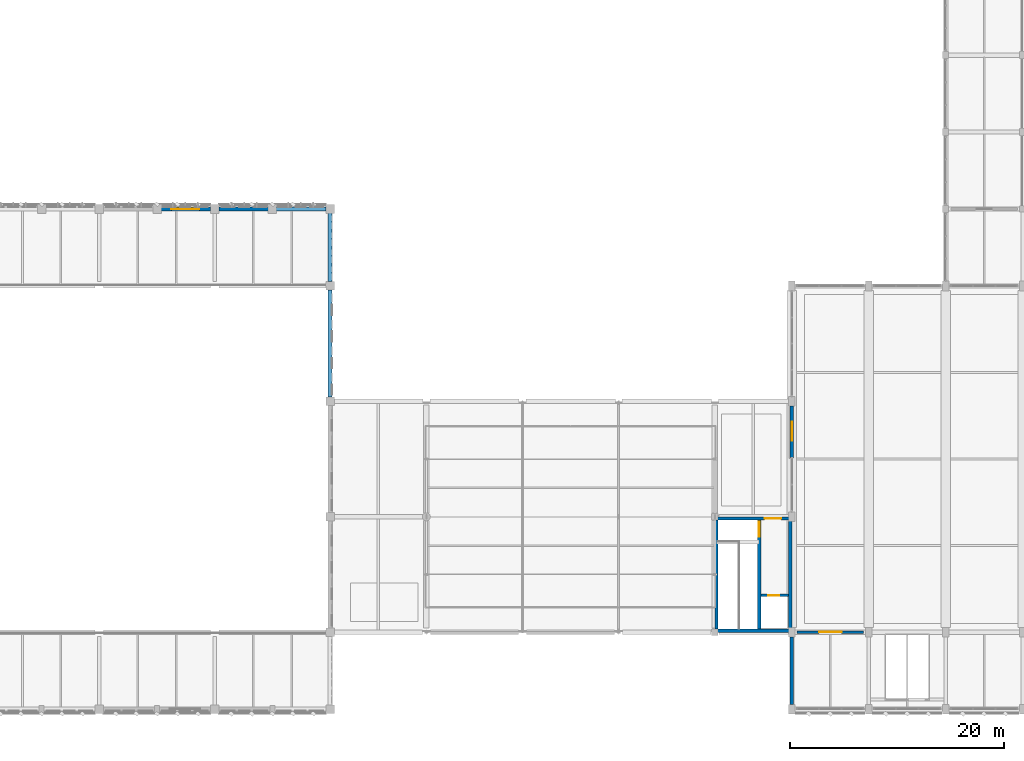
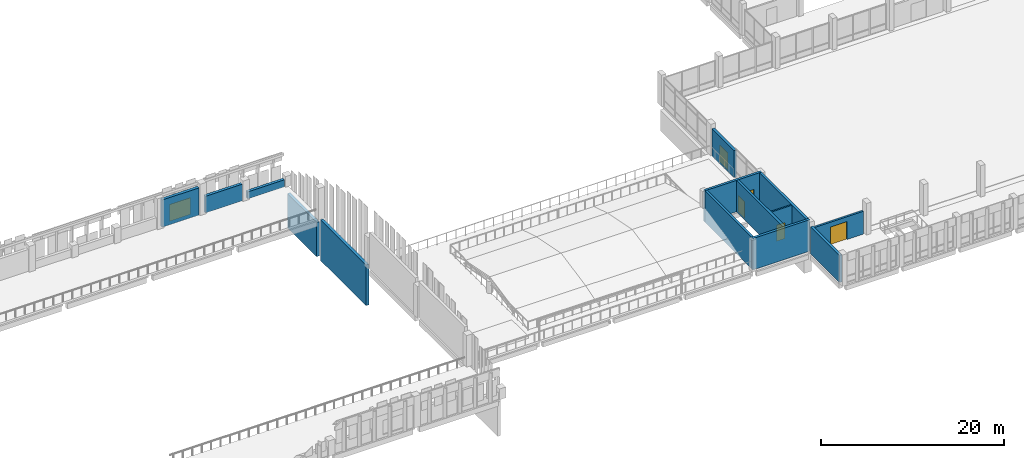
# One storey, part 132 of 158: 14 walls, 5 doors, 1 window, 6 openings.
"""IFC4 building model written with IfcOpenShell, lengths in metres."""

import ifcopenshell
import ifcopenshell.guid

model = None  # the IFC model being written
_history = None  # IfcOwnerHistory: only IFC2X3 demands one
_inside = {}  # id of a spatial element -> (the spatial element, [elements in it])
_under = {}  # id of a project, library or spatial element -> (it, [spatial elements below it])
_declared = {}  # id of a project -> (the project, [libraries it declares])
_typed = {}  # id of a type object -> (the type object, [elements of that type])
_made_of = {}  # id of a material, layer set ... -> (it, [elements and type objects made of it])


def new_model(schema):
    """Start an empty IFC model of exactly this schema.

    Asked for "IFC4X3", IfcOpenShell would pick the latest addendum, in which some entities
    have other attributes; the version numbers below select the first issue.
    IFC2X3 requires an IfcOwnerHistory on every rooted entity: one is made here for all.
    """
    global model, _history
    if schema == "IFC4X3":
        model = ifcopenshell.file(schema_version=(4, 3, 0, 0))
    else:
        model = ifcopenshell.file(schema=schema)
    _inside.clear()
    _under.clear()
    _declared.clear()
    _typed.clear()
    _made_of.clear()
    _history = None
    if model.schema == "IFC2X3":
        org = make("IfcOrganization", Name="unknown")
        user = make(
            "IfcPersonAndOrganization",
            ThePerson=make("IfcPerson", FamilyName="unknown"),
            TheOrganization=org,
        )
        app = make(
            "IfcApplication",
            ApplicationDeveloper=org,
            Version="unknown",
            ApplicationFullName="unknown",
            ApplicationIdentifier="unknown",
        )
        _history = make(
            "IfcOwnerHistory",
            OwningUser=user,
            OwningApplication=app,
            ChangeAction="ADDED",
            CreationDate=0,
        )
    return model


def make(cls, **values):
    """One entity of the class cls with the attributes given. An attribute that is None is left unset."""
    return model.create_entity(
        cls, **{name: value for name, value in values.items() if value is not None}
    )


def rooted(cls, **values):
    """An entity with a GlobalId (a new one), such as an element, a storey or a relation."""
    return make(cls, GlobalId=ifcopenshell.guid.new(), OwnerHistory=_history, **values)


def si_unit(unit_type, name, prefix=None):
    """IfcSIUnit, for example si_unit("LENGTHUNIT", "METRE", prefix="MILLI")."""
    return make("IfcSIUnit", UnitType=unit_type, Prefix=prefix, Name=name)


def assignment(units):
    """IfcUnitAssignment: the units of a project."""
    return None if units is None else make("IfcUnitAssignment", Units=units)


def point(xyz):
    """IfcCartesianPoint."""
    return None if xyz is None else make("IfcCartesianPoint", Coordinates=xyz)


def direction(xyz):
    """IfcDirection."""
    return None if xyz is None else make("IfcDirection", DirectionRatios=xyz)


def frame(location, z_axis=None, x_axis=None):
    """IfcAxis2Placement3D, a coordinate frame: its origin and axes. An axis left out is left unset."""
    return make(
        "IfcAxis2Placement3D",
        Location=point(location),
        Axis=direction(z_axis),
        RefDirection=direction(x_axis),
    )


def frame_2d(location, x_axis=None):
    """IfcAxis2Placement2D, a coordinate frame in the plane: its origin and x axis."""
    return make(
        "IfcAxis2Placement2D", Location=point(location), RefDirection=direction(x_axis)
    )


def origin():
    """The frame at (0, 0, 0) with its axes left unset."""
    return frame((0.0, 0.0, 0.0))


def place(relative_to, where):
    """IfcLocalPlacement: puts the frame where relative to a parent placement (None: the world)."""
    return make(
        "IfcLocalPlacement", PlacementRelTo=relative_to, RelativePlacement=where
    )


def context(
    kind, dimensions, precision=None, world=None, true_north=None, identifier=None
):
    """IfcGeometricRepresentationContext, for example the 3D "Model" context."""
    return make(
        "IfcGeometricRepresentationContext",
        ContextIdentifier=identifier,
        ContextType=kind,
        CoordinateSpaceDimension=dimensions,
        Precision=precision,
        WorldCoordinateSystem=world,
        TrueNorth=true_north,
    )


def subcontext(parent, identifier, kind, view, scale=None):
    """IfcGeometricRepresentationSubContext, for example "Body" below "Model"."""
    return make(
        "IfcGeometricRepresentationSubContext",
        ContextIdentifier=identifier,
        ContextType=kind,
        ParentContext=parent,
        TargetScale=scale,
        TargetView=view,
    )


def project(units=None, contexts=None):
    """IfcProject with its units and contexts."""
    return rooted(
        "IfcProject",
        Name="project",
        RepresentationContexts=contexts,
        UnitsInContext=assignment(units),
    )


def spatial(cls, under=None, at=None, **own):
    """A site, building, storey or space (cls), placed at a placement, below another one or the project."""
    s = rooted(cls, ObjectPlacement=at, **own)
    if under is not None:
        _under.setdefault(under.id(), (under, []))[1].append(s)
    return s


def profile(cls, at=None, kind="AREA", **sizes):
    """A parametric profile (cls). Its sizes go by their IFC names, for example OverallWidth=200.0."""
    return make(cls, ProfileType=kind, Position=at, **sizes)


def rectangle(**sizes):
    """IfcRectangleProfileDef."""
    return profile("IfcRectangleProfileDef", **sizes)


def extrude(swept, where, along, depth):
    """IfcExtrudedAreaSolid: the profile swept, set in the frame where, extruded along a direction by depth."""
    return make(
        "IfcExtrudedAreaSolid",
        SweptArea=swept,
        Position=where,
        ExtrudedDirection=direction(along),
        Depth=depth,
    )


def shape(context_of_items, identifier, shape_type, items):
    """IfcShapeRepresentation: the items that make up one representation, for example the "Body"."""
    return make(
        "IfcShapeRepresentation",
        ContextOfItems=context_of_items,
        RepresentationIdentifier=identifier,
        RepresentationType=shape_type,
        Items=items,
    )


def material(Name=None, Category=None):
    """IfcMaterial."""
    return make("IfcMaterial", Name=Name, Category=Category)


def layer(
    of_material, thickness, ventilated=None, Name=None, Category=None, Priority=None
):
    """IfcMaterialLayer: one layer of a wall or slab, of a material (None: an air gap)."""
    return make(
        "IfcMaterialLayer",
        Material=of_material,
        LayerThickness=thickness,
        IsVentilated=ventilated,
        Name=Name,
        Category=Category,
        Priority=Priority,
    )


def layer_set(layers, Name=None):
    """IfcMaterialLayerSet."""
    return make("IfcMaterialLayerSet", MaterialLayers=layers, LayerSetName=Name)


def made_of(thing, what):
    """Note that an element or type object is made of a material, layer set ...; save() writes the relation."""
    if what is not None:
        _made_of.setdefault(what.id(), (what, []))[1].append(thing)
    return thing


def type_object(cls, material=None, **own):
    """A type object (cls), such as IfcWallType, which elements share."""
    return made_of(rooted(cls, **own), material)


def element(
    cls,
    number,
    at=None,
    inside=None,
    cuts=None,
    type_object=None,
    material=None,
    context=None,
    identifier="Body",
    shape_type=None,
    held_by="IfcProductDefinitionShape",
    body=None,
    shapes=None,
    **own,
):
    """One element of the class cls, such as IfcWall. Its Tag is "e" and its number.

    at: its placement. inside: the storey or other place that contains it. cuts: it is an
    opening in that element (IfcRelVoidsElement). A single representation is given by context,
    identifier, shape_type and body (its items); several are given by shapes. held_by: the class
    of the entity that holds the representations. save() writes the other relations.
    """
    e = rooted(cls, Tag="e%d" % number, ObjectPlacement=at, **own)
    if body is not None:
        shapes = [shape(context, identifier, shape_type, body)]
    if shapes is not None:
        e.Representation = make(held_by, Representations=shapes)
    if inside is not None:
        _inside.setdefault(inside.id(), (inside, []))[1].append(e)
    if cuts is not None:
        rooted(
            "IfcRelVoidsElement", RelatingBuildingElement=cuts, RelatedOpeningElement=e
        )
    if type_object is not None:
        _typed.setdefault(type_object.id(), (type_object, []))[1].append(e)
    return made_of(e, material)


def fill(opening, filler):
    """IfcRelFillsElement: the door or window that sits in an opening."""
    return rooted(
        "IfcRelFillsElement",
        RelatingOpeningElement=opening,
        RelatedBuildingElement=filler,
    )


def aggregate(whole, parts):
    """IfcRelAggregates: a whole, such as a stair, and the parts it consists of."""
    return rooted("IfcRelAggregates", RelatingObject=whole, RelatedObjects=parts)


def save(model, path):
    """Write the relations noted so far, then the file.

    IfcRelAggregates (storeys below a building ...), IfcRelContainedInSpatialStructure (elements
    in a storey), IfcRelDefinesByType, IfcRelAssociatesMaterial and IfcRelDeclares: one each for
    every whole, place, type object, material and project.
    """
    for whole, parts in _under.values():
        aggregate(whole, parts)
    for where, things in _inside.values():
        rooted(
            "IfcRelContainedInSpatialStructure",
            RelatedElements=things,
            RelatingStructure=where,
        )
    for kind, things in _typed.values():
        rooted("IfcRelDefinesByType", RelatedObjects=things, RelatingType=kind)
    for what, things in _made_of.values():
        rooted("IfcRelAssociatesMaterial", RelatedObjects=things, RelatingMaterial=what)
    for by, libraries in _declared.values():
        rooted("IfcRelDeclares", RelatingContext=by, RelatedDefinitions=libraries)
    model.write(path)


model = new_model("IFC4")

# Units and contexts
model_context = context("Model", 3, precision=1e-05, world=origin(), true_north=direction((0.0, 1.0)))
body_context = subcontext(model_context, "Body", "Model", "MODEL_VIEW")
ifc_project = project(units=[si_unit("LENGTHUNIT", "METRE"), si_unit("AREAUNIT", "SQUARE_METRE"), si_unit("VOLUMEUNIT", "CUBIC_METRE"), si_unit("PLANEANGLEUNIT", "RADIAN"), si_unit("MASSUNIT", "GRAM", prefix="KILO")], contexts=[model_context])

# Site, building, storey
site_placement = place(None, origin())
site = spatial("IfcSite", under=ifc_project, at=site_placement, CompositionType="ELEMENT")
building_placement = place(site_placement, origin())
building = spatial("IfcBuilding", under=site, at=building_placement, Name="Lusvemor Sports Hall", CompositionType="ELEMENT")
storey_placement = place(building_placement, frame((0.0, 0.0, 10.800048828125)))
storey = spatial("IfcBuildingStorey", under=building, at=storey_placement, Name="L02", CompositionType="ELEMENT", Elevation=10.800048828125)

# Wall, opening, door
ifc_material_1 = material(Name="Warm terracotta Art Nouveau ceramic cladding on Concrete C40/50 backing", Category="masonry")
ifc_layer_1 = layer(ifc_material_1, 0.340087890625)
ifc_layer_set_1 = layer_set([ifc_layer_1], Name="Warm terracotta Art Nouveau ceramic cladding on Concrete C40/50 backing")
wall_type_1 = type_object("IfcWallType", Name="EW_TERR_CAV_340", PredefinedType="STANDARD", material=ifc_layer_set_1)
wall_1_placement = place(storey_placement, frame((118.800048828125, 23.51611328125, -0.050048828125), z_axis=(0.0, 0.0, 1.0), x_axis=(0.0, 1.0, 0.0)))
wall_1 = element("IfcWall", 1, at=wall_1_placement, inside=storey, type_object=wall_type_1, Name="Exterior Wall EW-V2W-TERR-L02", PredefinedType="STANDARD", context=body_context, shape_type="SweptSolid", body=[
    extrude(rectangle(XDim=4.837890625, YDim=0.340087890625, at=frame_2d((2.4189453125, 0.0))), origin(), (0.0, 0.0, 1.0), 3.625),
])
opening_1_placement = place(wall_1_placement, frame((1.593994140625, 0.0, 0.0)))
opening_1 = element("IfcOpeningElement", 2, at=opening_1_placement, cuts=wall_1, Name="Opening ED07", PredefinedType="OPENING", context=body_context, shape_type="SweptSolid", body=[
    extrude(rectangle(XDim=1.780029296875, YDim=2.320068359375, at=frame_2d((0.89013671875, 1.16015625))), frame((0.0, 0.169921875, 0.0), z_axis=(0.0, -1.0, 0.0), x_axis=(1.0, 0.0, 0.0)), (0.0, 0.0, 1.0), 0.340087890625),
])
ifc_material_2 = material(Name="Thermally broken bronze-anodized aluminium", Category="aluminium")
door_type_1 = type_object("IfcDoorType", Name="EDR_TERR_178x232", OperationType="NOTDEFINED", PredefinedType="DOOR", material=ifc_material_2)
door_1_placement = place(opening_1_placement, origin())
door_1 = element("IfcDoor", 3, at=door_1_placement, inside=storey, type_object=door_type_1, Name="DR-025", OperationType="SINGLE_SWING_RIGHT", OverallHeight=2.320068359375, OverallWidth=1.780029296875, PredefinedType="DOOR", context=body_context, shape_type="SweptSolid", body=[
    extrude(rectangle(XDim=1.780029296875, YDim=2.320068359375, at=frame_2d((0.89013671875, 1.16015625))), frame((0.0, 0.02490234375, 0.0), z_axis=(0.0, -1.0, 0.0), x_axis=(1.0, 0.0, 0.0)), (0.0, 0.0, 1.0), 0.050048828125),
])
fill(opening_1, door_1)

# Wall
wall_2_placement = place(storey_placement, frame((118.800048828125, 0.43994140625, -0.050048828125), z_axis=(0.0, 0.0, 1.0), x_axis=(0.0, 1.0, 0.0)))
element("IfcWall", 4, at=wall_2_placement, inside=storey, type_object=wall_type_1, Name="Exterior Wall EW-V2W-S0-L02", PredefinedType="STANDARD", context=body_context, shape_type="SweptSolid", body=[
    extrude(rectangle(XDim=6.320068359375, YDim=0.340087890625, at=frame_2d((3.16015625, 0.0))), origin(), (0.0, 0.0, 1.0), 3.625),
])

# Wall, opening, window
ifc_material_3 = material(Name="Emerald polychrome glazed ceramic cladding on Concrete C40/50 backing", Category="concrete")
ifc_layer_2 = layer(ifc_material_3, 0.364990234375)
ifc_layer_set_2 = layer_set([ifc_layer_2], Name="Emerald polychrome glazed ceramic cladding on Concrete C40/50 backing")
wall_type_2 = type_object("IfcWallType", Name="EW_WAVE_CER_365", PredefinedType="STANDARD", material=ifc_layer_set_2)
wall_3_placement = place(storey_placement, frame((59.72998046875, 46.800048828125, -0.050048828125), z_axis=(0.0, 0.0, 1.0), x_axis=(1.0, 0.0, 0.0)))
wall_3 = element("IfcWall", 5, at=wall_3_placement, inside=storey, type_object=wall_type_2, Name="Exterior Wall EW-WAVE-N-5-2", PredefinedType="STANDARD", context=body_context, shape_type="SweptSolid", body=[
    extrude(rectangle(XDim=4.674072265625, YDim=0.364990234375, at=frame_2d((2.3369140625, 0.0))), origin(), (0.0, 0.0, 1.0), 3.64697265625),
])
opening_2_placement = place(wall_3_placement, frame((1.010009765625, 0.0, 0.35009765625)))
opening_2 = element("IfcOpeningElement", 6, at=opening_2_placement, cuts=wall_3, Name="Opening WN18", PredefinedType="OPENING", context=body_context, shape_type="SweptSolid", body=[
    extrude(rectangle(XDim=2.6201171875, YDim=2.239990234375, at=frame_2d((1.31005859375, 1.1201171875))), frame((0.0, 0.1826171875, 0.0), z_axis=(0.0, -1.0, 0.0), x_axis=(1.0, 0.0, 0.0)), (0.0, 0.0, 1.0), 0.364990234375),
])
ifc_material_4 = material(Name="Solar-control laminated double glazing", Category="glass")
window_type = type_object("IfcWindowType", Name="WIN_18", PartitioningType="SINGLE_PANEL", PredefinedType="WINDOW", material=ifc_material_4)
window_placement = place(opening_2_placement, origin())
window = element("IfcWindow", 7, at=window_placement, inside=storey, type_object=window_type, Name="Courtyard Wave Clerestory Window N-5.2", OverallHeight=2.239990234375, OverallWidth=2.6201171875, PartitioningType="SINGLE_PANEL", PredefinedType="WINDOW", context=body_context, shape_type="SweptSolid", body=[
    extrude(rectangle(XDim=2.6201171875, YDim=2.239990234375, at=frame_2d((1.31005859375, 1.1201171875))), frame((0.0, 0.030029296875, 0.0), z_axis=(0.0, -1.0, 0.0), x_axis=(1.0, 0.0, 0.0)), (0.0, 0.0, 1.0), 0.06005859375),
])
fill(opening_2, window)

# Walls
wall_4_placement = place(storey_placement, frame((65.196044921875, 46.800048828125, -0.050048828125), z_axis=(0.0, 0.0, 1.0), x_axis=(1.0, 0.0, 0.0)))
element("IfcWall", 8, at=wall_4_placement, inside=storey, type_object=wall_type_2, Name="Exterior Wall EW-WAVE-N-6-1", PredefinedType="STANDARD", context=body_context, shape_type="SweptSolid", body=[
    extrude(rectangle(XDim=4.674072265625, YDim=0.364990234375, at=frame_2d((2.3369140625, 0.0))), origin(), (0.0, 0.0, 1.0), 2.22021484375),
])
wall_5_placement = place(storey_placement, frame((70.530029296875, 46.800048828125, -0.050048828125), z_axis=(0.0, 0.0, 1.0), x_axis=(1.0, 0.0, 0.0)))
element("IfcWall", 9, at=wall_5_placement, inside=storey, type_object=wall_type_2, Name="Exterior Wall EW-WAVE-N-6-2", PredefinedType="STANDARD", context=body_context, shape_type="SweptSolid", body=[
    extrude(rectangle(XDim=4.674072265625, YDim=0.364990234375, at=frame_2d((2.3369140625, 0.0))), origin(), (0.0, 0.0, 1.0), 0.94189453125),
])
wall_6_placement = place(storey_placement, frame((75.60009765625, 39.2041015625, -5.449951171875), z_axis=(0.0, 0.0, 1.0), x_axis=(0.0, -1.0, 0.0)))
element("IfcWall", 10, at=wall_6_placement, inside=storey, type_object=wall_type_2, Name="Exterior Wall EW-V1E-TYMP-4", PredefinedType="STANDARD", context=body_context, shape_type="SweptSolid", body=[
    extrude(rectangle(XDim=10.008056640625, YDim=0.364990234375, at=frame_2d((5.00390625, 0.0))), origin(), (0.0, 0.0, 1.0), 5.434814453125),
])
wall_7_placement = place(storey_placement, frame((75.60009765625, 46.404052734375, -5.449951171875), z_axis=(0.0, 0.0, 1.0), x_axis=(0.0, -1.0, 0.0)))
element("IfcWall", 11, at=wall_7_placement, inside=storey, type_object=wall_type_2, Name="Exterior Wall EW-V1E-TYMP-5", PredefinedType="STANDARD", context=body_context, shape_type="SweptSolid", body=[
    extrude(rectangle(XDim=6.407958984375, YDim=0.364990234375, at=frame_2d((3.2041015625, 0.0))), origin(), (0.0, 0.0, 1.0), 4.56494140625),
])

# Wall, opening, door
ifc_material_5 = material(Name="Plastered ceramic masonry blockwork", Category="masonry")
ifc_layer_3 = layer(ifc_material_5, 0.25)
ifc_layer_set_3 = layer_set([ifc_layer_3], Name="Plastered ceramic masonry blockwork")
wall_type_3 = type_object("IfcWallType", Name="IW_COMP_248", PredefinedType="STANDARD", material=ifc_layer_set_3)
wall_8_placement = place(storey_placement, frame((119.300048828125, 7.199951171875, 0.0), z_axis=(0.0, 0.0, 1.0), x_axis=(1.0, 0.0, 0.0)))
wall_8 = element("IfcWall", 12, at=wall_8_placement, inside=storey, type_object=wall_type_3, Name="Partition IW-L02-C3S-1", PredefinedType="STANDARD", context=body_context, shape_type="SweptSolid", body=[
    extrude(rectangle(XDim=6.199951171875, YDim=0.25, at=frame_2d((3.10009765625, 0.0))), origin(), (0.0, 0.0, 1.0), 3.0400390625),
])
opening_3_placement = place(wall_8_placement, frame((2.050048828125, 0.0, 0.0)))
opening_3 = element("IfcOpeningElement", 13, at=opening_3_placement, cuts=wall_8, Name="Opening ID01", PredefinedType="OPENING", context=body_context, shape_type="SweptSolid", body=[
    extrude(rectangle(XDim=2.10009765625, YDim=2.39990234375, at=frame_2d((1.050048828125, 1.199951171875))), frame((0.0, 0.125, 0.0), z_axis=(0.0, -1.0, 0.0), x_axis=(1.0, 0.0, 0.0)), (0.0, 0.0, 1.0), 0.25),
])
ifc_material_6 = material(Name="Acoustic solid-core hardwood door leaf in steel frame", Category="steel")
door_type_2 = type_object("IfcDoorType", Name="IDR_COURT_DBL_210", OperationType="NOTDEFINED", PredefinedType="DOOR", material=ifc_material_6)
door_2_placement = place(opening_3_placement, origin())
door_2 = element("IfcDoor", 14, at=door_2_placement, inside=storey, type_object=door_type_2, Name="DR-186", OperationType="SINGLE_SWING_RIGHT", OverallHeight=2.39990234375, OverallWidth=2.10009765625, PredefinedType="DOOR", context=body_context, shape_type="SweptSolid", body=[
    extrude(rectangle(XDim=2.10009765625, YDim=2.39990234375, at=frame_2d((1.050048828125, 1.199951171875))), frame((0.0, 0.02490234375, 0.0), z_axis=(0.0, -1.0, 0.0), x_axis=(1.0, 0.0, 0.0)), (0.0, 0.0, 1.0), 0.050048828125),
])
fill(opening_3, door_2)

ifc_material_7 = material(Name="Concrete C40/50", Category="concrete")
ifc_layer_4 = layer(ifc_material_7, 0.2099609375)
ifc_layer_set_4 = layer_set([ifc_layer_4], Name="Concrete C40/50")
wall_type_4 = type_object("IfcWallType", Name="IW_SHFT_212", PredefinedType="STANDARD", material=ifc_layer_set_4)
wall_9_placement = place(storey_placement, frame((115.89990234375, 10.64990234375, 0.0), z_axis=(0.0, 0.0, 1.0), x_axis=(1.0, 0.0, 0.0)))
wall_9 = element("IfcWall", 15, at=wall_9_placement, inside=storey, type_object=wall_type_4, Name="Lift LP-04 Shaft Front Wall (L02)", PredefinedType="STANDARD", context=body_context, shape_type="SweptSolid", body=[
    extrude(rectangle(XDim=2.60009765625, YDim=0.2099609375, at=frame_2d((1.300048828125, 0.0))), origin(), (0.0, 0.0, 1.0), 4.199951171875),
])
opening_4_placement = place(wall_9_placement, frame((0.679931640625, 0.0, 0.0)))
opening_4 = element("IfcOpeningElement", 16, at=opening_4_placement, cuts=wall_9, Name="Opening LD-02", PredefinedType="OPENING", context=body_context, shape_type="SweptSolid", body=[
    extrude(rectangle(XDim=1.0400390625, YDim=2.159912109375, at=frame_2d((0.52001953125, 1.080078125))), frame((0.0, 0.10498046875, 0.0), z_axis=(0.0, -1.0, 0.0), x_axis=(1.0, 0.0, 0.0)), (0.0, 0.0, 1.0), 0.2099609375),
])
ifc_material_8 = material(Name="Brushed stainless-steel sliding lift landing door", Category="steel")
door_type_3 = type_object("IfcDoorType", Name="LIFT_DOOR_PAX_104", OperationType="NOTDEFINED", PredefinedType="DOOR", material=ifc_material_8)
door_3_placement = place(opening_4_placement, origin())
door_3 = element("IfcDoor", 17, at=door_3_placement, inside=storey, type_object=door_type_3, Name="DR-118", OperationType="SLIDING_TO_LEFT", OverallHeight=2.159912109375, OverallWidth=1.0400390625, PredefinedType="DOOR", context=body_context, shape_type="SweptSolid", body=[
    extrude(rectangle(XDim=1.0400390625, YDim=2.159912109375, at=frame_2d((0.52001953125, 1.080078125))), frame((0.0, 0.02490234375, 0.0), z_axis=(0.0, -1.0, 0.0), x_axis=(1.0, 0.0, 0.0)), (0.0, 0.0, 1.0), 0.050048828125),
])
fill(opening_4, door_3)

ifc_material_9 = material(Name="Concrete C40/50", Category="concrete")
ifc_layer_5 = layer(ifc_material_9, 0.300048828125)
ifc_layer_set_5 = layer_set([ifc_layer_5], Name="Concrete C40/50")
wall_type_5 = type_object("IfcWallType", Name="WALL_CORE_300_INT", PredefinedType="SHEAR", material=ifc_layer_set_5)
wall_10_placement = place(storey_placement, frame((111.60009765625, 17.85009765625, 0.0), z_axis=(0.0, 0.0, 1.0), x_axis=(1.0, 0.0, 0.0)))
wall_10 = element("IfcWall", 18, at=wall_10_placement, inside=storey, type_object=wall_type_5, Name="Core C7 Central Foyer Shear Wall N (L02)", PredefinedType="SHEAR", context=body_context, shape_type="SweptSolid", body=[
    extrude(rectangle(XDim=7.199951171875, YDim=0.300048828125, at=frame_2d((3.60009765625, 0.0))), origin(), (0.0, 0.0, 1.0), 4.199951171875),
])
opening_5_placement = place(wall_10_placement, frame((4.64990234375, 0.0, 0.0)))
opening_5 = element("IfcOpeningElement", 19, at=opening_5_placement, cuts=wall_10, Name="Opening DR-FD60-01", PredefinedType="OPENING", context=body_context, shape_type="SweptSolid", body=[
    extrude(rectangle(XDim=1.5400390625, YDim=2.219970703125, at=frame_2d((0.77001953125, 1.10986328125))), frame((0.0, 0.14990234375, 0.0), z_axis=(0.0, -1.0, 0.0), x_axis=(1.0, 0.0, 0.0)), (0.0, 0.0, 1.0), 0.300048828125),
])
ifc_material_10 = material(Name="Fire-rated insulated painted steel door assembly", Category="steel")
door_type_4 = type_object("IfcDoorType", Name="IDR_LOBBY_FD60_154", OperationType="NOTDEFINED", PredefinedType="DOOR", material=ifc_material_10)
door_4_placement = place(opening_5_placement, origin())
door_4 = element("IfcDoor", 20, at=door_4_placement, inside=storey, type_object=door_type_4, Name="DR-124", OperationType="SINGLE_SWING_LEFT", OverallHeight=2.219970703125, OverallWidth=1.5400390625, PredefinedType="DOOR", context=body_context, shape_type="SweptSolid", body=[
    extrude(rectangle(XDim=1.5400390625, YDim=2.219970703125, at=frame_2d((0.77001953125, 1.10986328125))), frame((0.0, 0.02490234375, 0.0), z_axis=(0.0, -1.0, 0.0), x_axis=(1.0, 0.0, 0.0)), (0.0, 0.0, 1.0), 0.050048828125),
])
fill(opening_5, door_4)

# Walls
for number, where, z_axis, x_axis, name in (
    (21, (111.75, 7.5, 0.0), (0.0, 0.0, 1.0), (0.0, 1.0, 0.0), "Core C7 Central Foyer Shear Wall W (L02)"),
    (22, (118.64990234375, 17.699951171875, 0.0), (0.0, 0.0, 1.0), (0.0, -1.0, 0.0), "Core C7 Central Foyer Shear Wall E (L02)"),
):
    element("IfcWall", number, at=place(storey_placement, frame(where, z_axis=z_axis, x_axis=x_axis)), inside=storey, type_object=wall_type_5, Name=name, PredefinedType="SHEAR", context=body_context, shape_type="SweptSolid", body=[
        extrude(rectangle(XDim=10.199951171875, YDim=0.300048828125, at=frame_2d((5.10009765625, 0.0))), origin(), (0.0, 0.0, 1.0), 4.199951171875),
    ])

# Wall, opening, door
wall_11_placement = place(storey_placement, frame((115.75, 7.5, 0.0), z_axis=(0.0, 0.0, 1.0), x_axis=(0.0, 1.0, 0.0)))
wall_11 = element("IfcWall", 23, at=wall_11_placement, inside=storey, type_object=wall_type_5, Name="Core C7 Central Foyer Shear Wall M (L02)", PredefinedType="SHEAR", context=body_context, shape_type="SweptSolid", body=[
    extrude(rectangle(XDim=10.199951171875, YDim=0.300048828125, at=frame_2d((5.10009765625, 0.0))), origin(), (0.0, 0.0, 1.0), 4.199951171875),
])
opening_6_placement = place(wall_11_placement, frame((8.6298828125, 0.0, 0.0)))
opening_6 = element("IfcOpeningElement", 24, at=opening_6_placement, cuts=wall_11, Name="Opening DR-FD90-01", PredefinedType="OPENING", context=body_context, shape_type="SweptSolid", body=[
    extrude(rectangle(XDim=1.419921875, YDim=2.199951171875, at=frame_2d((0.7099609375, 1.10009765625))), frame((0.0, 0.14990234375, 0.0), z_axis=(0.0, -1.0, 0.0), x_axis=(1.0, 0.0, 0.0)), (0.0, 0.0, 1.0), 0.300048828125),
])
ifc_material_11 = material(Name="Fire-rated insulated painted steel door assembly", Category="steel")
door_type_5 = type_object("IfcDoorType", Name="IDR_STAIR_FD90_142", OperationType="NOTDEFINED", PredefinedType="DOOR", material=ifc_material_11)
door_5_placement = place(opening_6_placement, origin())
door_5 = element("IfcDoor", 25, at=door_5_placement, inside=storey, type_object=door_type_5, Name="DR-123", OperationType="SINGLE_SWING_RIGHT", OverallHeight=2.199951171875, OverallWidth=1.419921875, PredefinedType="DOOR", context=body_context, shape_type="SweptSolid", body=[
    extrude(rectangle(XDim=1.419921875, YDim=2.199951171875, at=frame_2d((0.7099609375, 1.10009765625))), frame((0.0, 0.02490234375, 0.0), z_axis=(0.0, -1.0, 0.0), x_axis=(1.0, 0.0, 0.0)), (0.0, 0.0, 1.0), 0.050048828125),
])
fill(opening_6, door_5)

# Wall
ifc_material_12 = material(Name="Concrete C40/50", Category="concrete")
ifc_layer_6 = layer(ifc_material_12, 0.324951171875)
ifc_layer_set_6 = layer_set([ifc_layer_6], Name="Concrete C40/50")
wall_type_6 = type_object("IfcWallType", Name="WALL_CORE_325_EXT", PredefinedType="SHEAR", material=ifc_layer_set_6)
wall_12_placement = place(storey_placement, frame((118.800048828125, 7.35009765625, 0.0), z_axis=(0.0, 0.0, 1.0), x_axis=(-1.0, 0.0, 0.0)))
element("IfcWall", 26, at=wall_12_placement, inside=storey, type_object=wall_type_6, Name="Core C7 Central Foyer Shear Wall S (L02)", PredefinedType="SHEAR", context=body_context, shape_type="SweptSolid", body=[
    extrude(rectangle(XDim=7.199951171875, YDim=0.324951171875, at=frame_2d((3.60009765625, 0.0))), origin(), (0.0, 0.0, 1.0), 4.199951171875),
])

save(model, "model.ifc")
